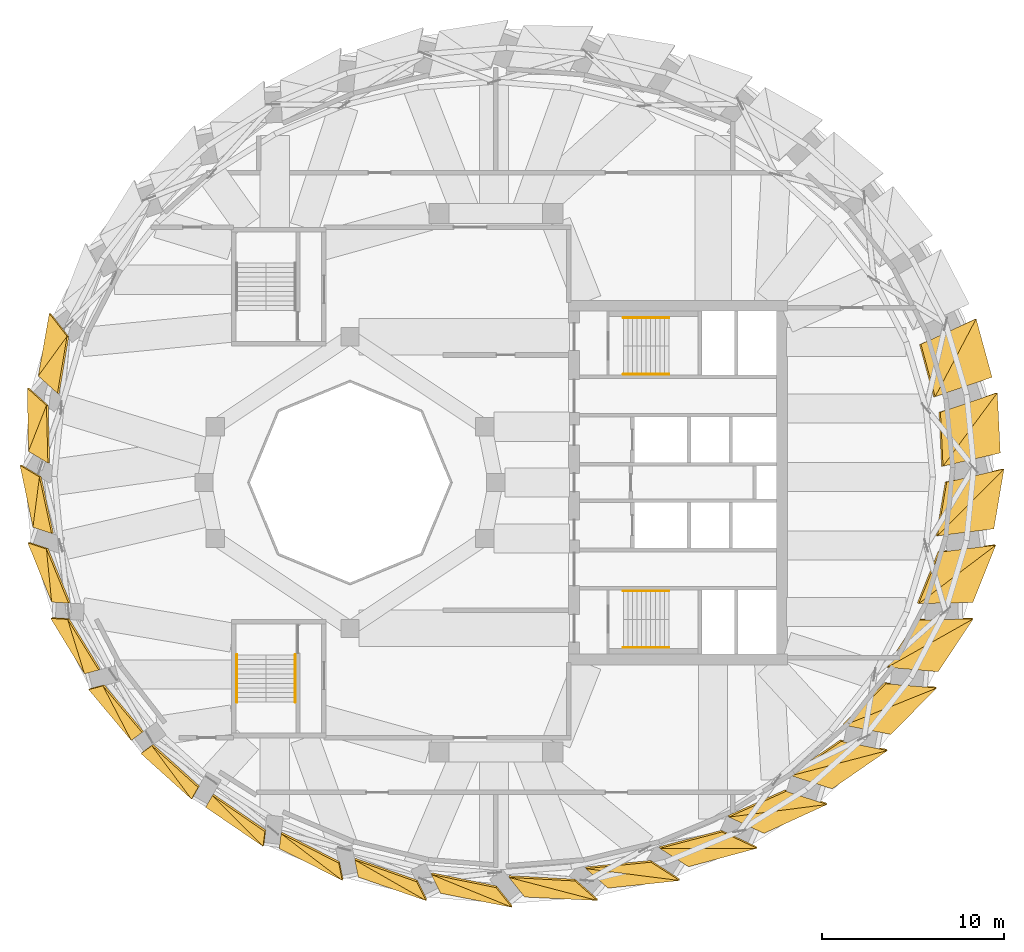
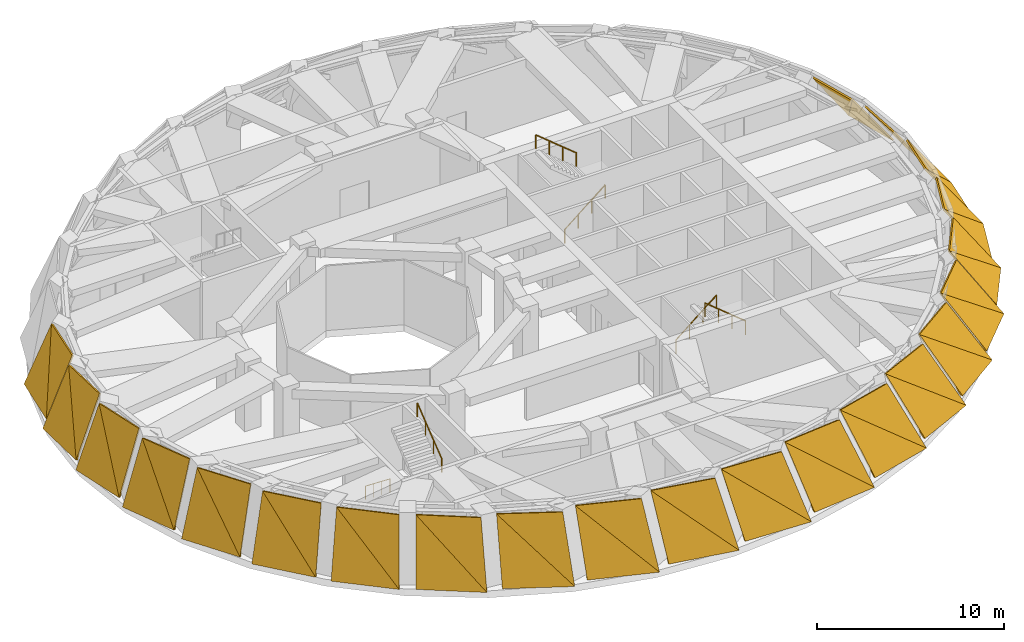
# One storey, part 13 of 14: 44 shading devices, 6 railings.
"""IFC4 building model written with IfcOpenShell, lengths in metres."""

from ifc_helpers import new_model, si_unit, direction, frame, origin, origin_2d, place, context, subcontext, project, spatial, polyline, circle, outline, extrude, material, layer, layer_set, type_object, element, save


model = new_model("IFC4")

# Units and contexts
model_context = context("Model", 3, precision=1e-05, world=origin(), true_north=direction((0.0, 1.0)))
body_context = subcontext(model_context, "Body", "Model", "MODEL_VIEW")
ifc_project = project(units=[si_unit("LENGTHUNIT", "METRE"), si_unit("AREAUNIT", "SQUARE_METRE"), si_unit("VOLUMEUNIT", "CUBIC_METRE"), si_unit("PLANEANGLEUNIT", "RADIAN"), si_unit("MASSUNIT", "GRAM", prefix="KILO")], contexts=[model_context])

# Site, building, storey
site_placement = place(None, origin())
site = spatial("IfcSite", under=ifc_project, at=site_placement, CompositionType="ELEMENT")
building_placement = place(site_placement, origin())
building = spatial("IfcBuilding", under=site, at=building_placement, Name="Taillehof Tower", CompositionType="ELEMENT")
storey_placement = place(building_placement, frame((0.0, 0.0, 228.800048828125)))
storey = spatial("IfcBuildingStorey", under=building, at=storey_placement, Name="L65", CompositionType="ELEMENT", Elevation=228.800048828125)

# Shading devices
ifc_material_1 = material(Name="Aluminium louvre blades", Category="aluminium")
ifc_layer = layer(ifc_material_1, 0.10009765625)
ifc_layer_set = layer_set([ifc_layer], Name="Louvre panel 100")
shading_device_type = type_object("IfcShadingDeviceType", Name="Louvre panel 100", PredefinedType="USERDEFINED", material=ifc_layer_set)
shading_device_1_placement = place(storey_placement, frame((27.67919921875, 1.622314453125, 0.0), z_axis=(0.807491566563, 0.039867285031, 0.588530347147), x_axis=(-0.049311702629, 0.99878343798, 0.0)))
element("IfcShadingDevice", 1, at=shading_device_1_placement, inside=storey, type_object=shading_device_type, Name="Louvre panel L65 bay 1a", ObjectType="LOUVER", PredefinedType="USERDEFINED", context=body_context, shape_type="SweptSolid", body=[
    extrude(outline(polyline([(0.0, 0.0), (3.3072461262768997, 0.0), (-0.569041925349256, 5.392699338897524), (0.0, 0.0)])), origin(), (0.0, 0.0, -1.0), 0.10009765625),
])
shading_device_2_placement = place(storey_placement, frame((27.51611328125, 4.925537109375, 0.0), z_axis=(0.80815935851, 0.038480608717, 0.587705448337), x_axis=(-0.570797959537, -0.194747562687, 0.797661003319)))
element("IfcShadingDevice", 2, at=shading_device_2_placement, inside=storey, type_object=shading_device_type, Name="Louvre panel L65 bay 1b", ObjectType="LOUVER", PredefinedType="USERDEFINED", context=body_context, shape_type="SweptSolid", body=[
    extrude(outline(polyline([(0.0, 0.0), (5.465809740114578, 0.0), (5.962420932216418, 2.925124244539536), (0.0, 0.0)])), origin(), (0.0, 0.0, -1.0), 0.10009765625),
])
shading_device_3_placement = place(storey_placement, frame((27.2255859375, 5.77734375, 0.0), z_axis=(0.770204891397, 0.209661348263, 0.602350848188), x_axis=(-0.262657336993, 0.964889176706, 0.0)))
element("IfcShadingDevice", 3, at=shading_device_3_placement, inside=storey, type_object=shading_device_type, Name="Louvre panel L65 bay 2a", ObjectType="LOUVER", PredefinedType="USERDEFINED", context=body_context, shape_type="SweptSolid", body=[
    extrude(outline(polyline([(0.0, 0.0), (3.322971078473032, 1.1102230246251565e-16), (-0.20785732182278235, 5.4619036297799255), (0.0, 0.0)])), origin(), (0.0, 0.0, -1.0), 0.10009765625),
])
shading_device_4_placement = place(storey_placement, frame((26.352783203125, 8.983642578125, 0.0), z_axis=(0.770821797468, 0.208826913229, 0.601851374394), x_axis=(-0.551563679631, -0.253958658009, 0.794532886251)))
element("IfcShadingDevice", 4, at=shading_device_4_placement, inside=storey, type_object=shading_device_type, Name="Louvre panel L65 bay 2b", ObjectType="LOUVER", PredefinedType="USERDEFINED", context=body_context, shape_type="SweptSolid", body=[
    extrude(outline(polyline([(0.0, 0.0), (5.487328915764008, -1.1102230246251565e-16), (5.788113562792551, 2.96595378210038), (0.0, 0.0)])), origin(), (0.0, 0.0, -1.0), 0.10009765625),
])
shading_device_5_placement = place(storey_placement, frame((-24.49365234375, 9.280029296875, 0.0), z_axis=(-0.950804908092, 0.167231755135, 0.260774935187), x_axis=(-0.173225419871, -0.984882203063, 0.0)))
element("IfcShadingDevice", 5, at=shading_device_5_placement, inside=storey, type_object=shading_device_type, Name="Louvre panel L65 bay 17a", ObjectType="LOUVER", PredefinedType="USERDEFINED", context=body_context, shape_type="SweptSolid", body=[
    extrude(outline(polyline([(0.0, 0.0), (3.4825805867518014, 0.0), (1.0667595982852234, 4.516122831239964), (0.0, 0.0)])), origin(), (0.0, 0.0, -1.0), 0.10009765625),
])
shading_device_6_placement = place(storey_placement, frame((-25.096923828125, 5.85009765625, 0.0), z_axis=(-0.951010950211, 0.160707024727, 0.264104950319), x_axis=(0.229184887642, -0.206868255543, 0.951146577624)))
element("IfcShadingDevice", 6, at=shading_device_6_placement, inside=storey, type_object=shading_device_type, Name="Louvre panel L65 bay 17b", ObjectType="LOUVER", PredefinedType="USERDEFINED", context=body_context, shape_type="SweptSolid", body=[
    extrude(outline(polyline([(0.0, 0.0), (4.583797475404077, 0.0), (4.058608331278871, 3.123980615886765), (0.0, 0.0)])), origin(), (0.0, 0.0, -1.0), 0.10009765625),
])
shading_device_7_placement = place(storey_placement, frame((-25.699951171875, 5.181884765625, 0.0), z_axis=(-0.972888538965, -0.017550522583, 0.230607610257), x_axis=(0.018036667992, -0.999837326072, 0.0)))
element("IfcShadingDevice", 7, at=shading_device_7_placement, inside=storey, type_object=shading_device_type, Name="Louvre panel L65 bay 18a", ObjectType="LOUVER", PredefinedType="USERDEFINED", context=body_context, shape_type="SweptSolid", body=[
    extrude(outline(polyline([(0.0, 0.0), (3.4651633010987237, 0.0), (0.966792021364502, 4.480630483946513), (0.0, 0.0)])), origin(), (0.0, 0.0, -1.0), 0.10009765625),
])
shading_device_8_placement = place(storey_placement, frame((-25.637451171875, 1.71728515625, 0.0), z_axis=(-0.971905381212, -0.024055203186, 0.23413943959), x_axis=(0.235163017963, -0.14114089079, 0.961653577922)))
element("IfcShadingDevice", 8, at=shading_device_8_placement, inside=storey, type_object=shading_device_type, Name="Louvre panel L65 bay 18b", ObjectType="LOUVER", PredefinedType="USERDEFINED", context=body_context, shape_type="SweptSolid", body=[
    extrude(outline(polyline([(0.0, 0.0), (4.533715031428246, -1.1102230246251565e-16), (4.069832525867818, 3.1231989684392407), (0.0, 0.0)])), origin(), (0.0, 0.0, -1.0), 0.10009765625),
])
shading_device_9_placement = place(storey_placement, frame((-26.1005859375, 0.945556640625, 0.0), z_axis=(-0.958132439425, -0.199871891681, 0.20502062198), x_axis=(0.2042097867, -0.978927148983, 0.0)))
element("IfcShadingDevice", 9, at=shading_device_9_placement, inside=storey, type_object=shading_device_type, Name="Louvre panel L65 bay 19a", ObjectType="LOUVER", PredefinedType="USERDEFINED", context=body_context, shape_type="SweptSolid", body=[
    extrude(outline(polyline([(0.0, 0.0), (3.471843276750202, 0.0), (0.8441788100070549, 4.454487037752564), (0.0, 0.0)])), origin(), (0.0, 0.0, -1.0), 0.10009765625),
])
shading_device_10_placement = place(storey_placement, frame((-25.3916015625, -2.453125, 0.0), z_axis=(-0.956089668559, -0.205834276951, 0.208625971795), x_axis=(0.228081652257, -0.075556124079, 0.970705945185)))
element("IfcShadingDevice", 10, at=shading_device_10_placement, inside=storey, type_object=shading_device_type, Name="Louvre panel L65 bay 19b", ObjectType="LOUVER", PredefinedType="USERDEFINED", context=body_context, shape_type="SweptSolid", body=[
    extrude(outline(polyline([(0.0, 0.0), (4.491435643178059, 1.1102230246251565e-16), (4.105223170392225, 3.145507596647157), (0.0, 0.0)])), origin(), (0.0, 0.0, -1.0), 0.10009765625),
])
shading_device_11_placement = place(storey_placement, frame((-25.674560546875, -3.3076171875, 0.0), z_axis=(-0.911187968521, -0.367886234603, 0.185462137407), x_axis=(0.374381220518, -0.927274879269, 0.0)))
element("IfcShadingDevice", 11, at=shading_device_11_placement, inside=storey, type_object=shading_device_type, Name="Louvre panel L65 bay 20a", ObjectType="LOUVER", PredefinedType="USERDEFINED", context=body_context, shape_type="SweptSolid", body=[
    extrude(outline(polyline([(0.0, 0.0), (3.5025242320113534, -2.7755575615628914e-17), (0.6981971883491869, 4.436836127579156), (0.0, 0.0)])), origin(), (0.0, 0.0, -1.0), 0.10009765625),
])
shading_device_12_placement = place(storey_placement, frame((-24.36328125, -6.555419921875, 0.0), z_axis=(-0.908609529359, -0.372561346813, 0.188750539119), x_axis=(0.208218925584, -0.012322266769, 0.97800462206)))
element("IfcShadingDevice", 12, at=shading_device_12_placement, inside=storey, type_object=shading_device_type, Name="Louvre panel L65 bay 20b", ObjectType="LOUVER", PredefinedType="USERDEFINED", context=body_context, shape_type="SweptSolid", body=[
    extrude(outline(polyline([(0.0, 0.0), (4.4579168471282165, 0.0), (4.168397006631771, 3.1897071003322353), (0.0, 0.0)])), origin(), (0.0, 0.0, -1.0), 0.10009765625),
])
shading_device_13_placement = place(storey_placement, frame((-24.41650390625, -7.453857421875, 0.0), z_axis=(-0.840861250445, -0.513007157298, 0.172557277624), x_axis=(0.520819721209, -0.853666690225, 0.0)))
element("IfcShadingDevice", 13, at=shading_device_13_placement, inside=storey, type_object=shading_device_type, Name="Louvre panel L65 bay 21a", ObjectType="LOUVER", PredefinedType="USERDEFINED", context=body_context, shape_type="SweptSolid", body=[
    extrude(outline(polyline([(0.0, 0.0), (3.557436724600686, 0.0), (0.5303299768889305, 4.42625945144685), (0.0, 0.0)])), origin(), (0.0, 0.0, -1.0), 0.10009765625),
])
shading_device_14_placement = place(storey_placement, frame((-22.563720703125, -10.49072265625, 0.0), z_axis=(-0.838590728438, -0.515885614803, 0.175007493034), x_axis=(0.176564410854, 0.046522272271, 0.983189039301)))
element("IfcShadingDevice", 14, at=shading_device_14_placement, inside=storey, type_object=shading_device_type, Name="Louvre panel L65 bay 21b", ObjectType="LOUVER", PredefinedType="USERDEFINED", context=body_context, shape_type="SweptSolid", body=[
    extrude(outline(polyline([(0.0, 0.0), (4.434409973028125, 0.0), (4.262051629260779, 3.2542378375097525), (0.0, 0.0)])), origin(), (0.0, 0.0, -1.0), 0.10009765625),
])
shading_device_15_placement = place(storey_placement, frame((-22.334228515625, -11.361083984375, 0.0), z_axis=(-0.75585509657, -0.633432525305, 0.16566927559), x_axis=(0.64230834782, -0.76644633623, 0.0)))
element("IfcShadingDevice", 15, at=shading_device_15_placement, inside=storey, type_object=shading_device_type, Name="Louvre panel L65 bay 22a", ObjectType="LOUVER", PredefinedType="USERDEFINED", context=body_context, shape_type="SweptSolid", body=[
    extrude(outline(polyline([(0.0, 0.0), (3.636405111815977, -5.551115123125783e-17), (0.344627297118329, 4.420954827905987), (0.0, 0.0)])), origin(), (0.0, 0.0, -1.0), 0.10009765625),
])
shading_device_16_placement = place(storey_placement, frame((-19.99853515625, -14.148193359375, 0.0), z_axis=(-0.75474045538, -0.634469703146, 0.166778418278), x_axis=(0.134326099191, 0.099378125172, 0.985941421847)))
element("IfcShadingDevice", 16, at=shading_device_16_placement, inside=storey, type_object=shading_device_type, Name="Louvre panel L65 bay 22b", ObjectType="LOUVER", PredefinedType="USERDEFINED", context=body_context, shape_type="SweptSolid", body=[
    extrude(outline(polyline([(0.0, 0.0), (4.422030746089529, 3.469446951953614e-17), (4.387443551543631, 3.3363126133111543), (0.0, 0.0)])), origin(), (0.0, 0.0, -1.0), 0.10009765625),
])
shading_device_17_placement = place(storey_placement, frame((-19.463134765625, -14.871826171875, 0.0), z_axis=(-0.660352743089, -0.732856488832, 0.163876848489), x_axis=(0.742899897451, -0.669402526413, 0.0)))
element("IfcShadingDevice", 17, at=shading_device_17_placement, inside=storey, type_object=shading_device_type, Name="Louvre panel L65 bay 23a", ObjectType="LOUVER", PredefinedType="USERDEFINED", context=body_context, shape_type="SweptSolid", body=[
    extrude(outline(polyline([(0.0, 0.0), (3.7270146861328204, 0.0), (0.14694372569039274, 4.419612889967535), (0.0, 0.0)])), origin(), (0.0, 0.0, -1.0), 0.10009765625),
])
shading_device_18_placement = place(storey_placement, frame((-16.6943359375, -17.36669921875, 0.0), z_axis=(-0.660861154794, -0.732507231, 0.163388159353), x_axis=(0.082814168935, 0.145200842867, 0.9859302859)))
element("IfcShadingDevice", 18, at=shading_device_18_placement, inside=storey, type_object=shading_device_type, Name="Louvre panel L65 bay 23b", ObjectType="LOUVER", PredefinedType="USERDEFINED", context=body_context, shape_type="SweptSolid", body=[
    extrude(outline(polyline([(0.0, 0.0), (4.422080692319346, -8.326672684688674e-17), (4.5445186914012305, 3.4201222262479427), (0.0, 0.0)])), origin(), (0.0, 0.0, -1.0), 0.10009765625),
])
shading_device_19_placement = place(storey_placement, frame((-15.912841796875, -17.812744140625, 0.0), z_axis=(-0.556524465894, -0.81394628385, 0.166649230028), x_axis=(0.825489730529, -0.564417137223, 0.0)))
element("IfcShadingDevice", 19, at=shading_device_19_placement, inside=storey, type_object=shading_device_type, Name="Louvre panel L65 bay 24a", ObjectType="LOUVER", PredefinedType="USERDEFINED", context=body_context, shape_type="SweptSolid", body=[
    extrude(outline(polyline([(0.0, 0.0), (3.806038508936539, 1.1102230246251565e-16), (-0.059901607757042216, 4.421695186273093), (0.0, 0.0)])), origin(), (0.0, 0.0, -1.0), 0.10009765625),
])
shading_device_20_placement = place(storey_placement, frame((-12.77099609375, -19.9609375, 0.0), z_axis=(-0.558849141383, -0.812802544227, 0.164437408373), x_axis=(0.02328105316, 0.182836072332, 0.982867724172)))
element("IfcShadingDevice", 20, at=shading_device_20_placement, inside=storey, type_object=shading_device_type, Name="Louvre panel L65 bay 24b", ObjectType="LOUVER", PredefinedType="USERDEFINED", context=body_context, shape_type="SweptSolid", body=[
    extrude(outline(polyline([(0.0, 0.0), (4.435859652350432, -5.551115123125783e-17), (4.730719305814108, 3.4809734494490345), (0.0, 0.0)])), origin(), (0.0, 0.0, -1.0), 0.10009765625),
])
shading_device_21_placement = place(storey_placement, frame((-11.878173828125, -20.07470703125, 0.0), z_axis=(-0.444930581993, -0.878506778754, 0.173961538538), x_axis=(0.892109261439, -0.451819726943, 0.0)))
element("IfcShadingDevice", 21, at=shading_device_21_placement, inside=storey, type_object=shading_device_type, Name="Louvre panel L65 bay 25a", ObjectType="LOUVER", PredefinedType="USERDEFINED", context=body_context, shape_type="SweptSolid", body=[
    extrude(outline(polyline([(0.0, 0.0), (3.874847239898042, 0.0), (-0.2743122351842129, 4.427369834673713), (0.0, 0.0)])), origin(), (0.0, 0.0, -1.0), 0.10009765625),
])
shading_device_22_placement = place(storey_placement, frame((-8.42138671875, -21.825439453125, 0.0), z_axis=(-0.449115674901, -0.877161056411, 0.169951733367), x_axis=(-0.043142384365, 0.211282855751, 0.976472370084)))
element("IfcShadingDevice", 22, at=shading_device_22_placement, inside=storey, type_object=shading_device_type, Name="Louvre panel L65 bay 25b", ObjectType="LOUVER", PredefinedType="USERDEFINED", context=body_context, shape_type="SweptSolid", body=[
    extrude(outline(polyline([(0.0, 0.0), (4.464912080283623, 0.0), (4.943222261228961, 3.518761384171146), (0.0, 0.0)])), origin(), (0.0, 0.0, -1.0), 0.10009765625),
])
shading_device_23_placement = place(storey_placement, frame((-7.53955078125, -21.6455078125, 0.0), z_axis=(-0.322498477116, -0.928005821905, 0.18654738478), x_axis=(0.944587138025, -0.328260778463, 0.0)))
element("IfcShadingDevice", 23, at=shading_device_23_placement, inside=storey, type_object=shading_device_type, Name="Louvre panel L65 bay 26a", ObjectType="LOUVER", PredefinedType="USERDEFINED", context=body_context, shape_type="SweptSolid", body=[
    extrude(outline(polyline([(0.0, 0.0), (3.935871332391546, 0.0), (-0.4916208251665158, 4.437763946958561), (0.0, 0.0)])), origin(), (0.0, 0.0, -1.0), 0.10009765625),
])
shading_device_24_placement = place(storey_placement, frame((-3.82177734375, -22.9375, 0.0), z_axis=(-0.328303811533, -0.927093152128, 0.180872592203), x_axis=(-0.11448337721, 0.229129142189, 0.96664026015)))
element("IfcShadingDevice", 24, at=shading_device_24_placement, inside=storey, type_object=shading_device_type, Name="Louvre panel L65 bay 26b", ObjectType="LOUVER", PredefinedType="USERDEFINED", context=body_context, shape_type="SweptSolid", body=[
    extrude(outline(polyline([(0.0, 0.0), (4.510326603378652, -1.1102230246251565e-16), (5.174279405373492, 3.5388230090371993), (0.0, 0.0)])), origin(), (0.0, 0.0, -1.0), 0.10009765625),
])
shading_device_25_placement = place(storey_placement, frame((-3.016845703125, -22.535400390625, 0.0), z_axis=(-0.188513980345, -0.960357641027, 0.205367184661), x_axis=(0.981273490367, -0.192619669563, 0.0)))
element("IfcShadingDevice", 25, at=shading_device_25_placement, inside=storey, type_object=shading_device_type, Name="Louvre panel L65 bay 27a", ObjectType="LOUVER", PredefinedType="USERDEFINED", context=body_context, shape_type="SweptSolid", body=[
    extrude(outline(polyline([(0.0, 0.0), (3.9760692268011386, -2.7755575615628914e-17), (-0.7057971467420356, 4.454817743670702), (0.0, 0.0)])), origin(), (0.0, 0.0, -1.0), 0.10009765625),
])
shading_device_26_placement = place(storey_placement, frame((0.884765625, -23.30126953125, 0.0), z_axis=(-0.195107775644, -0.960439290313, 0.198719212725), x_axis=(-0.188461814322, 0.235550573594, 0.953413903728)))
element("IfcShadingDevice", 26, at=shading_device_26_placement, inside=storey, type_object=shading_device_type, Name="Louvre panel L65 bay 27b", ObjectType="LOUVER", PredefinedType="USERDEFINED", context=body_context, shape_type="SweptSolid", body=[
    extrude(outline(polyline([(0.0, 0.0), (4.572896686530582, 1.1102230246251565e-16), (5.41326019597345, 3.5301399291992843), (0.0, 0.0)])), origin(), (0.0, 0.0, -1.0), 0.10009765625),
])
shading_device_27_placement = place(storey_placement, frame((1.58740234375, -22.739013671875, 0.0), z_axis=(-0.045910021221, -0.971861488195, 0.231035749862), x_axis=(0.998886089939, -0.047186643512, 0.0)))
element("IfcShadingDevice", 27, at=shading_device_27_placement, inside=storey, type_object=shading_device_type, Name="Louvre panel L65 bay 28a", ObjectType="LOUVER", PredefinedType="USERDEFINED", context=body_context, shape_type="SweptSolid", body=[
    extrude(outline(polyline([(0.0, 0.0), (3.983929927127342, 0.0), (-0.9114395709405374, 4.481098220862676), (0.0, 0.0)])), origin(), (0.0, 0.0, -1.0), 0.10009765625),
])
shading_device_28_placement = place(storey_placement, frame((5.56689453125, -22.927001953125, 0.0), z_axis=(-0.05248566938, -0.973149917391, 0.224108216698), x_axis=(-0.262196677979, 0.229973147099, 0.93721142421)))
element("IfcShadingDevice", 28, at=shading_device_28_placement, inside=storey, type_object=shading_device_type, Name="Louvre panel L65 bay 28b", ObjectType="LOUVER", PredefinedType="USERDEFINED", context=body_context, shape_type="SweptSolid", body=[
    extrude(outline(polyline([(0.0, 0.0), (4.651952770341089, -2.220446049250313e-16), (5.646372165396223, 3.4876016339987506), (0.0, 0.0)])), origin(), (0.0, 0.0, -1.0), 0.10009765625),
])
shading_device_29_placement = place(storey_placement, frame((6.160400390625, -22.250244140625, 0.0), z_axis=(0.101320905989, -0.959274429558, 0.263679052649), x_axis=(0.99446819233, 0.10503815709, 0.0)))
element("IfcShadingDevice", 29, at=shading_device_29_placement, inside=storey, type_object=shading_device_type, Name="Louvre panel L65 bay 29a", ObjectType="LOUVER", PredefinedType="USERDEFINED", context=body_context, shape_type="SweptSolid", body=[
    extrude(outline(polyline([(0.0, 0.0), (3.9559656725012236, 1.3877787807814457e-17), (-1.1006325494794937, 4.519817502179511), (0.0, 0.0)])), origin(), (0.0, 0.0, -1.0), 0.10009765625),
])
shading_device_30_placement = place(storey_placement, frame((10.094482421875, -21.834716796875, 0.0), z_axis=(0.095247887297, -0.961740908909, 0.256870130799), x_axis=(-0.33281541633, 0.212427709696, 0.918753703017)))
element("IfcShadingDevice", 30, at=shading_device_30_placement, inside=storey, type_object=shading_device_type, Name="Louvre panel L65 bay 29b", ObjectType="LOUVER", PredefinedType="USERDEFINED", context=body_context, shape_type="SweptSolid", body=[
    extrude(outline(polyline([(0.0, 0.0), (4.745410295420152, -2.220446049250313e-16), (5.859846411489991, 3.4146941100623724), (0.0, 0.0)])), origin(), (0.0, 0.0, -1.0), 0.10009765625),
])
shading_device_31_placement = place(storey_placement, frame((10.57861328125, -21.076171875, 0.0), z_axis=(0.248458750826, -0.920115816357, 0.302745988623), x_axis=(0.9654218261, 0.260692726578, 0.0)))
element("IfcShadingDevice", 31, at=shading_device_31_placement, inside=storey, type_object=shading_device_type, Name="Louvre panel L65 bay 30a", ObjectType="LOUVER", PredefinedType="USERDEFINED", context=body_context, shape_type="SweptSolid", body=[
    extrude(outline(polyline([(0.0, 0.0), (3.894933597515303, 0.0), (-1.2619417785643354, 4.5745406129351895), (0.0, 0.0)])), origin(), (0.0, 0.0, -1.0), 0.10009765625),
])
shading_device_32_placement = place(storey_placement, frame((14.3388671875, -20.060791015625, 0.0), z_axis=(0.243326361837, -0.923529639019, 0.296454528535), x_axis=(-0.397669384803, 0.183783661255, 0.898934161241)))
element("IfcShadingDevice", 32, at=shading_device_32_placement, inside=storey, type_object=shading_device_type, Name="Louvre panel L65 bay 30b", ObjectType="LOUVER", PredefinedType="USERDEFINED", context=body_context, shape_type="SweptSolid", body=[
    extrude(outline(polyline([(0.0, 0.0), (4.850036264313474, -2.220446049250313e-16), (6.041279261871572, 3.3200497502131556), (0.0, 0.0)])), origin(), (0.0, 0.0, -1.0), 0.10009765625),
])
shading_device_33_placement = place(storey_placement, frame((14.716552734375, -19.243896484375, 0.0), z_axis=(0.390672361686, -0.852561979143, 0.347150079266), x_axis=(0.909099235579, 0.416579620085, 0.0)))
element("IfcShadingDevice", 33, at=shading_device_33_placement, inside=storey, type_object=shading_device_type, Name="Louvre panel L65 bay 31a", ObjectType="LOUVER", PredefinedType="USERDEFINED", context=body_context, shape_type="SweptSolid", body=[
    extrude(outline(polyline([(0.0, 0.0), (3.8064592767443948, 1.1102230246251565e-16), (-1.3822902508246155, 4.64898561415532), (0.0, 0.0)])), origin(), (0.0, 0.0, -1.0), 0.10009765625),
])
shading_device_34_placement = place(storey_placement, frame((18.177001953125, -17.658203125, 0.0), z_axis=(0.386748688701, -0.856557946219, 0.341663484378), x_axis=(-0.454511229952, 0.145319582292, 0.878807010014)))
element("IfcShadingDevice", 34, at=shading_device_34_placement, inside=storey, type_object=shading_device_type, Name="Louvre panel L65 bay 31b", ObjectType="LOUVER", PredefinedType="USERDEFINED", context=body_context, shape_type="SweptSolid", body=[
    extrude(outline(polyline([(0.0, 0.0), (4.96111573026795, 0.0), (6.1801225815402105, 3.2159405743277505), (0.0, 0.0)])), origin(), (0.0, 0.0, -1.0), 0.10009765625),
])
shading_device_35_placement = place(storey_placement, frame((18.450927734375, -16.801025390625, 0.0), z_axis=(0.522025846658, -0.755970538592, 0.394965264551), x_axis=(0.822873392378, 0.56822476197, 0.0)))
element("IfcShadingDevice", 35, at=shading_device_35_placement, inside=storey, type_object=shading_device_type, Name="Louvre panel L65 bay 32a", ObjectType="LOUVER", PredefinedType="USERDEFINED", context=body_context, shape_type="SweptSolid", body=[
    extrude(outline(polyline([(0.0, 0.0), (3.699759430732619, -1.1102230246251565e-16), (-1.4456220841099225, 4.745708073791743), (0.0, 0.0)])), origin(), (0.0, 0.0, -1.0), 0.10009765625),
])
shading_device_36_placement = place(storey_placement, frame((21.495361328125, -14.69873046875, 0.0), z_axis=(0.519358440496, -0.760171500477, 0.390392238843), x_axis=(-0.501622224003, 0.098659268848, 0.859442547851)))
element("IfcShadingDevice", 36, at=shading_device_36_placement, inside=storey, type_object=shading_device_type, Name="Louvre panel L65 bay 32b", ObjectType="LOUVER", PredefinedType="USERDEFINED", context=body_context, shape_type="SweptSolid", body=[
    extrude(outline(polyline([(0.0, 0.0), (5.072896719102852, 2.220446049250313e-16), (6.268901671964434, 3.114091823016299), (0.0, 0.0)])), origin(), (0.0, 0.0, -1.0), 0.10009765625),
])
shading_device_37_placement = place(storey_placement, frame((21.669189453125, -13.815673828125, 0.0), z_axis=(0.63602532527, -0.631327584258, 0.443731075056), x_axis=(0.704480884216, 0.709722962693, 0.0)))
element("IfcShadingDevice", 37, at=shading_device_37_placement, inside=storey, type_object=shading_device_type, Name="Louvre panel L65 bay 33a", ObjectType="LOUVER", PredefinedType="USERDEFINED", context=body_context, shape_type="SweptSolid", body=[
    extrude(outline(polyline([(0.0, 0.0), (3.5861401552601233, -1.1102230246251565e-16), (-1.4376407869984509, 4.865050119810956), (0.0, 0.0)])), origin(), (0.0, 0.0, -1.0), 0.10009765625),
])
shading_device_38_placement = place(storey_placement, frame((24.195556640625, -11.2705078125, 0.0), z_axis=(0.634497333193, -0.635448196248, 0.440021276823), x_axis=(-0.538054788716, 0.045576294734, 0.841676805964)))
element("IfcShadingDevice", 38, at=shading_device_38_placement, inside=storey, type_object=shading_device_type, Name="Louvre panel L65 bay 33b", ObjectType="LOUVER", PredefinedType="USERDEFINED", context=body_context, shape_type="SweptSolid", body=[
    extrude(outline(polyline([(0.0, 0.0), (5.179973180150963, 0.0), (6.305038330985104, 3.0254882694999172), (0.0, 0.0)])), origin(), (0.0, 0.0, -1.0), 0.10009765625),
])
shading_device_39_placement = place(storey_placement, frame((24.271484375, -10.373779296875, 0.0), z_axis=(0.72599990285, -0.48226655719, 0.49024800752), x_axis=(0.553322596041, 0.832967048994, 0.0)))
element("IfcShadingDevice", 39, at=shading_device_39_placement, inside=storey, type_object=shading_device_type, Name="Louvre panel L65 bay 34a", ObjectType="LOUVER", PredefinedType="USERDEFINED", context=body_context, shape_type="SweptSolid", body=[
    extrude(outline(polyline([(0.0, 0.0), (3.4781889636249543, 1.1102230246251565e-16), (-1.345317053950327, 5.002235450918052), (0.0, 0.0)])), origin(), (0.0, 0.0, -1.0), 0.10009765625),
])
shading_device_40_placement = place(storey_placement, frame((26.196044921875, -7.4765625, 0.0), z_axis=(0.72547230682, -0.485829871103, 0.487503095766), x_axis=(-0.56320480461, -0.011936814227, 0.826231118108)))
element("IfcShadingDevice", 40, at=shading_device_40_placement, inside=storey, type_object=shading_device_type, Name="Louvre panel L65 bay 34b", ObjectType="LOUVER", PredefinedType="USERDEFINED", context=body_context, shape_type="SweptSolid", body=[
    extrude(outline(polyline([(0.0, 0.0), (5.2768083720127645, 0.0), (6.287652385158649, 2.9587154799701567), (0.0, 0.0)])), origin(), (0.0, 0.0, -1.0), 0.10009765625),
])
shading_device_41_placement = place(storey_placement, frame((26.177001953125, -6.57666015625, 0.0), z_axis=(0.786337161344, -0.314998636261, 0.531459996466), x_axis=(0.371862604581, 0.92828778044, 0.0)))
element("IfcShadingDevice", 41, at=shading_device_41_placement, inside=storey, type_object=shading_device_type, Name="Louvre panel L65 bay 35a", ObjectType="LOUVER", PredefinedType="USERDEFINED", context=body_context, shape_type="SweptSolid", body=[
    extrude(outline(polyline([(0.0, 0.0), (3.3890310311516245, 0.0), (-1.163618587138301, 5.146911537865234), (0.0, 0.0)])), origin(), (0.0, 0.0, -1.0), 0.10009765625),
])
shading_device_42_placement = place(storey_placement, frame((27.437255859375, -3.4306640625, 0.0), z_axis=(0.786494097678, -0.317754774302, 0.529583740051), x_axis=(-0.576981122683, -0.072208059965, 0.81355932798)))
element("IfcShadingDevice", 42, at=shading_device_42_placement, inside=storey, type_object=shading_device_type, Name="Louvre panel L65 bay 35b", ObjectType="LOUVER", PredefinedType="USERDEFINED", context=body_context, shape_type="SweptSolid", body=[
    extrude(outline(polyline([(0.0, 0.0), (5.358998577366871, 0.0), (6.220608637928492, 2.9191343064777087), (0.0, 0.0)])), origin(), (0.0, 0.0, -1.0), 0.10009765625),
])
shading_device_43_placement = place(storey_placement, frame((27.325439453125, -2.53759765625, 0.0), z_axis=(0.813642600048, -0.137775280755, 0.564804117725), x_axis=(0.166954806202, 0.985964549406, 0.0)))
element("IfcShadingDevice", 43, at=shading_device_43_placement, inside=storey, type_object=shading_device_type, Name="Louvre panel L65 bay 36a", ObjectType="LOUVER", PredefinedType="USERDEFINED", context=body_context, shape_type="SweptSolid", body=[
    extrude(outline(polyline([(0.0, 0.0), (3.329692722067638, 1.1102230246251565e-16), (-0.89800351462567, 5.283241850064094), (0.0, 0.0)])), origin(), (0.0, 0.0, -1.0), 0.10009765625),
])
shading_device_44_placement = place(storey_placement, frame((27.88134765625, 0.745361328125, 0.0), z_axis=(0.81421801008, -0.139977466255, 0.563431753634), x_axis=(-0.579364300712, -0.133675210508, 0.804032303553)))
element("IfcShadingDevice", 44, at=shading_device_44_placement, inside=storey, type_object=shading_device_type, Name="Louvre panel L65 bay 36b", ObjectType="LOUVER", PredefinedType="USERDEFINED", context=body_context, shape_type="SweptSolid", body=[
    extrude(outline(polyline([(0.0, 0.0), (5.422497655860109, 0.0), (6.1095726800892365, 2.9084672222197487), (0.0, 0.0)])), origin(), (0.0, 0.0, -1.0), 0.10009765625),
])

# Railings
ifc_material_2 = material(Name="Stainless steel", Category="steel")
railing_type = type_object("IfcRailingType", Name="Stair handrail 900", PredefinedType="HANDRAIL", material=ifc_material_2)
railing_1_placement = place(storey_placement, frame((7.0, 5.949951171875, 0.20458984375)))
element("IfcRailing", 45, at=railing_1_placement, inside=storey, type_object=railing_type, Name="Stair S1 handrail", PredefinedType="HANDRAIL", context=body_context, shape_type="SweptSolid", body=[
    extrude(circle(Radius=0.02392578125, at=origin_2d()), frame((0.0, 0.0, 0.8759765625), z_axis=(0.773964034227, 0.0, 0.633229558472), x_axis=(0.0, 1.0, 0.0)), (0.0, 0.0, 1.0), 3.230224609375),
    extrude(circle(Radius=0.02099609375, at=origin_2d()), origin(), (0.0, 0.0, 1.0), 0.851806640625),
    extrude(circle(Radius=0.02099609375, at=origin_2d()), frame((0.833251953125, 0.0, 0.681884765625)), (0.0, 0.0, 1.0), 0.851806640625),
    extrude(circle(Radius=0.02099609375, at=origin_2d()), frame((1.666748046875, 0.0, 1.363525390625)), (0.0, 0.0, 1.0), 0.851806640625),
    extrude(circle(Radius=0.02099609375, at=origin_2d()), frame((2.5, 0.0, 2.04541015625)), (0.0, 0.0, 1.0), 0.851806640625),
])
railing_2_placement = place(storey_placement, frame((9.5, 9.050048828125, 2.45458984375)))
element("IfcRailing", 46, at=railing_2_placement, inside=storey, type_object=railing_type, Name="Stair S1 handrail", PredefinedType="HANDRAIL", context=body_context, shape_type="SweptSolid", body=[
    extrude(circle(Radius=0.02392578125, at=origin_2d()), frame((0.0, 0.0, 0.8759765625), z_axis=(-0.773964034227, 0.0, 0.633229558472), x_axis=(0.0, -1.0, 0.0)), (0.0, 0.0, 1.0), 3.230224609375),
    extrude(circle(Radius=0.02099609375, at=origin_2d()), origin(), (0.0, 0.0, 1.0), 0.851806640625),
    extrude(circle(Radius=0.02099609375, at=origin_2d()), frame((-0.833251953125, 0.0, 0.681884765625)), (0.0, 0.0, 1.0), 0.851806640625),
    extrude(circle(Radius=0.02099609375, at=origin_2d()), frame((-1.666748046875, 0.0, 1.363525390625)), (0.0, 0.0, 1.0), 0.851806640625),
    extrude(circle(Radius=0.02099609375, at=origin_2d()), frame((-2.5, 0.0, 2.04541015625)), (0.0, 0.0, 1.0), 0.851806640625),
])
railing_3_placement = place(storey_placement, frame((7.0, -5.949951171875, 0.20458984375)))
element("IfcRailing", 47, at=railing_3_placement, inside=storey, type_object=railing_type, Name="Stair S2 handrail", PredefinedType="HANDRAIL", context=body_context, shape_type="SweptSolid", body=[
    extrude(circle(Radius=0.02392578125, at=origin_2d()), frame((0.0, 0.0, 0.8759765625), z_axis=(0.773964034227, 0.0, 0.633229558472), x_axis=(0.0, 1.0, 0.0)), (0.0, 0.0, 1.0), 3.230224609375),
    extrude(circle(Radius=0.02099609375, at=origin_2d()), origin(), (0.0, 0.0, 1.0), 0.851806640625),
    extrude(circle(Radius=0.02099609375, at=origin_2d()), frame((0.833251953125, 0.0, 0.681884765625)), (0.0, 0.0, 1.0), 0.851806640625),
    extrude(circle(Radius=0.02099609375, at=origin_2d()), frame((1.666748046875, 0.0, 1.363525390625)), (0.0, 0.0, 1.0), 0.851806640625),
    extrude(circle(Radius=0.02099609375, at=origin_2d()), frame((2.5, 0.0, 2.04541015625)), (0.0, 0.0, 1.0), 0.851806640625),
])
railing_4_placement = place(storey_placement, frame((9.5, -9.050048828125, 2.45458984375)))
element("IfcRailing", 48, at=railing_4_placement, inside=storey, type_object=railing_type, Name="Stair S2 handrail", PredefinedType="HANDRAIL", context=body_context, shape_type="SweptSolid", body=[
    extrude(circle(Radius=0.02392578125, at=origin_2d()), frame((0.0, 0.0, 0.8759765625), z_axis=(-0.773964034227, 0.0, 0.633229558472), x_axis=(0.0, -1.0, 0.0)), (0.0, 0.0, 1.0), 3.230224609375),
    extrude(circle(Radius=0.02099609375, at=origin_2d()), origin(), (0.0, 0.0, 1.0), 0.851806640625),
    extrude(circle(Radius=0.02099609375, at=origin_2d()), frame((-0.833251953125, 0.0, 0.681884765625)), (0.0, 0.0, 1.0), 0.851806640625),
    extrude(circle(Radius=0.02099609375, at=origin_2d()), frame((-1.666748046875, 0.0, 1.363525390625)), (0.0, 0.0, 1.0), 0.851806640625),
    extrude(circle(Radius=0.02099609375, at=origin_2d()), frame((-2.5, 0.0, 2.04541015625)), (0.0, 0.0, 1.0), 0.851806640625),
])
railing_5_placement = place(storey_placement, frame((-14.199951171875, -9.449951171875, 0.20458984375)))
element("IfcRailing", 49, at=railing_5_placement, inside=storey, type_object=railing_type, Name="Stair S4 handrail", PredefinedType="HANDRAIL", context=body_context, shape_type="SweptSolid", body=[
    extrude(circle(Radius=0.02392578125, at=origin_2d()), frame((0.0, 0.0, 0.8759765625), z_axis=(0.0, -0.785954564337, 0.618284257278), x_axis=(1.0, 0.0, 0.0)), (0.0, 0.0, 1.0), 3.30810546875),
    extrude(circle(Radius=0.02099609375, at=origin_2d()), origin(), (0.0, 0.0, 1.0), 0.851806640625),
    extrude(circle(Radius=0.02099609375, at=origin_2d()), frame((0.0, -0.86669921875, 0.681884765625)), (0.0, 0.0, 1.0), 0.851806640625),
    extrude(circle(Radius=0.02099609375, at=origin_2d()), frame((0.0, -1.7333984375, 1.363525390625)), (0.0, 0.0, 1.0), 0.851806640625),
    extrude(circle(Radius=0.02099609375, at=origin_2d()), frame((0.0, -2.60009765625, 2.04541015625)), (0.0, 0.0, 1.0), 0.851806640625),
])
railing_6_placement = place(storey_placement, frame((-11.0, -12.050048828125, 2.45458984375)))
element("IfcRailing", 50, at=railing_6_placement, inside=storey, type_object=railing_type, Name="Stair S4 handrail", PredefinedType="HANDRAIL", context=body_context, shape_type="SweptSolid", body=[
    extrude(circle(Radius=0.02392578125, at=origin_2d()), frame((0.0, 0.0, 0.8759765625), z_axis=(0.0, 0.785954564337, 0.618284257278), x_axis=(-1.0, 0.0, 0.0)), (0.0, 0.0, 1.0), 3.30810546875),
    extrude(circle(Radius=0.02099609375, at=origin_2d()), origin(), (0.0, 0.0, 1.0), 0.851806640625),
    extrude(circle(Radius=0.02099609375, at=origin_2d()), frame((0.0, 0.86669921875, 0.681884765625)), (0.0, 0.0, 1.0), 0.851806640625),
    extrude(circle(Radius=0.02099609375, at=origin_2d()), frame((0.0, 1.7333984375, 1.363525390625)), (0.0, 0.0, 1.0), 0.851806640625),
    extrude(circle(Radius=0.02099609375, at=origin_2d()), frame((0.0, 2.60009765625, 2.04541015625)), (0.0, 0.0, 1.0), 0.851806640625),
])

save(model, "model.ifc")
